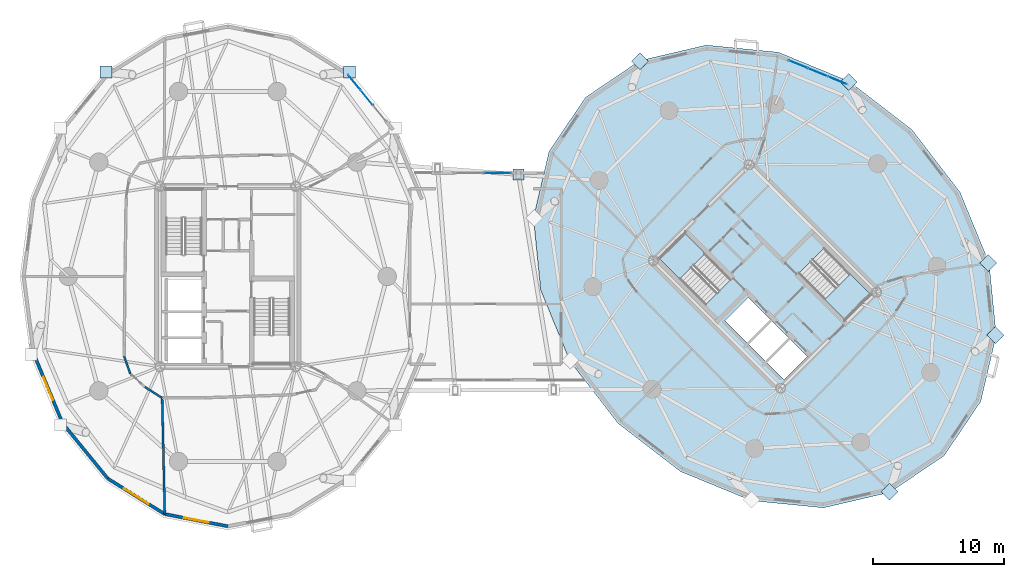
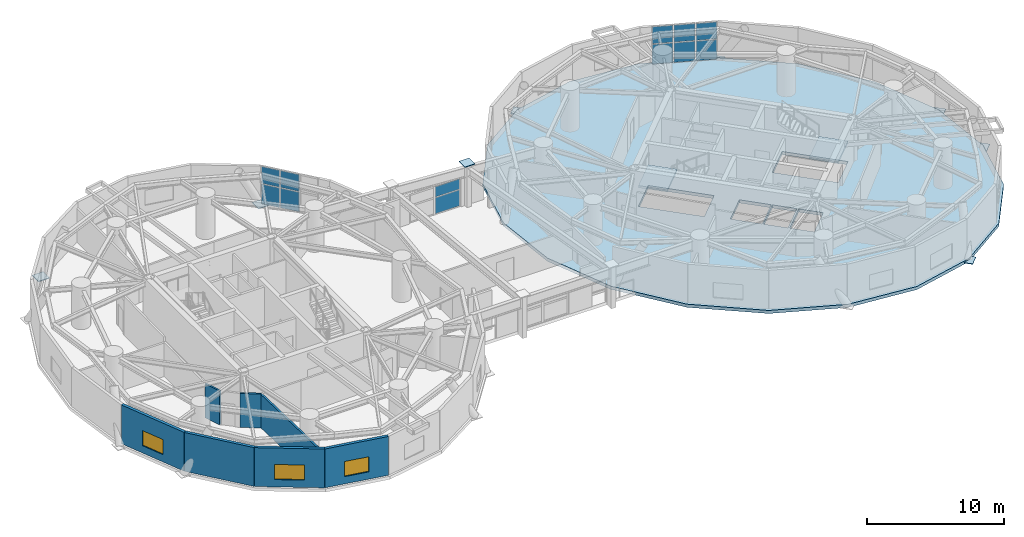
# One storey, part 12 of 20: 20 plates, 7 walls, 3 slabs, 3 windows, 3 openings, 5 elements without a shape of their own.
"""IFC4 building model written with IfcOpenShell, lengths in metres."""

from ifc_helpers import new_model, si_unit, direction, frame, frame_2d, origin, origin_2d, place, context, subcontext, project, spatial, polyline, rectangle, outline, extrude, source, transform, mapped, material, layer, layer_set, type_object, element, fill, aggregate, save


model = new_model("IFC4")

# Units and contexts
model_context = context("Model", 3, precision=1e-05, world=origin(), true_north=direction((0.0, 1.0)))
body_context = subcontext(model_context, "Body", "Model", "MODEL_VIEW")
ifc_project = project(units=[si_unit("LENGTHUNIT", "METRE"), si_unit("AREAUNIT", "SQUARE_METRE"), si_unit("VOLUMEUNIT", "CUBIC_METRE"), si_unit("PLANEANGLEUNIT", "RADIAN"), si_unit("MASSUNIT", "GRAM", prefix="KILO")], contexts=[model_context])

# Site, building, storey
site_placement = place(None, origin())
site = spatial("IfcSite", under=ifc_project, at=site_placement, CompositionType="ELEMENT")
building_placement = place(site_placement, origin())
building = spatial("IfcBuilding", under=site, at=building_placement, Name="Cununo Teusaquillo Station Towers", CompositionType="ELEMENT")
storey_placement = place(building_placement, frame((0.0, 0.0, 140.320068359375)))
storey = spatial("IfcBuildingStorey", under=building, at=storey_placement, Name="L44", CompositionType="ELEMENT", Elevation=140.320068359375)

# Slab
ifc_material_1 = material(Name="Concrete C50/60", Category="concrete")
ifc_layer_1 = layer(ifc_material_1, 0.280029296875)
ifc_layer_set_1 = layer_set([ifc_layer_1], Name="Concrete C50/60")
slab_type_1 = type_object("IfcSlabType", Name="SLB-BRG-280", PredefinedType="FLOOR", material=ifc_layer_set_1)
slab_1_placement = place(storey_placement, frame((0.0, 0.0, -0.280029296875)))
element("IfcSlab", 1, at=slab_1_placement, inside=storey, type_object=slab_type_1, Name="L44 Tower B Floor Slab", PredefinedType="FLOOR", context=body_context, shape_type="SweptSolid", body=[
    extrude(outline(polyline([(68.71533203125, 35.71533203125), (63.938232421875, 39.39453125), (58.531005859375, 41.61572265625), (53.02294921875, 42.16162109375), (47.952880859375, 40.978515625), (43.8173828125, 38.1826171875), (41.021484375, 34.047119140625), (39.83837890625, 28.97705078125), (40.38427734375, 23.468994140625), (42.60546875, 18.061767578125), (46.28466796875, 13.28466796875), (51.061767578125, 9.60546875), (56.468994140625, 7.38427734375), (61.97705078125, 6.83837890625), (67.047119140625, 8.021484375), (71.1826171875, 10.8173828125), (73.978515625, 14.952880859375), (75.16162109375, 20.02294921875), (74.61572265625, 25.531005859375), (72.39453125, 30.938232421875), (68.71533203125, 35.71533203125)]), holes=[polyline([(54.914794921875, 24.28515625), (51.390625, 27.809326171875), (49.43896484375, 25.857666015625), (52.963134765625, 22.33349609375), (54.914794921875, 24.28515625)]), polyline([(60.085205078125, 24.71484375), (63.609375, 21.190673828125), (65.56103515625, 23.142333984375), (62.036865234375, 26.66650390625), (60.085205078125, 24.71484375)]), polyline([(56.156494140625, 19.40869140625), (57.945556640625, 21.19775390625), (56.248291015625, 22.89501953125), (54.45947265625, 21.10595703125), (56.156494140625, 19.40869140625)]), polyline([(58.94970703125, 16.61572265625), (60.738525390625, 18.40478515625), (59.430419921875, 19.712890625), (57.641357421875, 17.923828125), (58.94970703125, 16.61572265625)]), polyline([(57.535400390625, 18.030029296875), (59.32421875, 19.819091796875), (58.01611328125, 21.127197265625), (56.227294921875, 19.338134765625), (57.535400390625, 18.030029296875)])]), origin(), (0.0, 0.0, 1.0), 0.280029296875),
])

# Stair, slab
ifc_material_2 = material(Name="Concrete C50/60", Category="concrete")
stair_type = type_object("IfcStairType", Name="ST-TWR-1300", PredefinedType="HALF_TURN_STAIR", material=ifc_material_2)
stair_1_placement = place(storey_placement, origin())
stair_1 = element("IfcStair", 2, at=stair_1_placement, inside=storey, type_object=stair_type, Name="L44 Tower B Protected Core Exit Stair 1", PredefinedType="HALF_TURN_STAIR")
ifc_material_3 = material(Name="Concrete C50/60", Category="concrete")
ifc_layer_2 = layer(ifc_material_3, 0.199951171875)
ifc_layer_set_2 = layer_set([ifc_layer_2], Name="Concrete C50/60")
slab_type_2 = type_object("IfcSlabType", Name="SLB-STAIR-LND", PredefinedType="LANDING", material=ifc_layer_set_2)
slab_2_placement = place(storey_placement, frame((0.0, 0.0, 1.659912109375)))
slab_2 = element("IfcSlab", 3, at=slab_2_placement, type_object=slab_type_2, Name="ST-T2-1 landing 1", PredefinedType="LANDING", context=body_context, shape_type="SweptSolid", body=[
    extrude(outline(polyline([(52.939208984375, 26.2607421875), (51.390625, 27.809326171875), (49.43896484375, 25.857666015625), (50.987548828125, 24.30908203125), (52.939208984375, 26.2607421875)])), origin(), (0.0, 0.0, 1.0), 0.199951171875),
])
aggregate(stair_1, [slab_2])

stair_2_placement = place(storey_placement, origin())
stair_2 = element("IfcStair", 4, at=stair_2_placement, inside=storey, type_object=stair_type, Name="L44 Tower B Protected Core Exit Stair 2", PredefinedType="HALF_TURN_STAIR")
slab_3_placement = place(storey_placement, frame((0.0, 0.0, 1.659912109375)))
slab_3 = element("IfcSlab", 5, at=slab_3_placement, type_object=slab_type_2, Name="ST-T2-2 landing 1", PredefinedType="LANDING", context=body_context, shape_type="SweptSolid", body=[
    extrude(outline(polyline([(62.060791015625, 22.7392578125), (63.609375, 21.190673828125), (65.56103515625, 23.142333984375), (64.012451171875, 24.69091796875), (62.060791015625, 22.7392578125)])), origin(), (0.0, 0.0, 1.0), 0.199951171875),
])
aggregate(stair_2, [slab_3])

# Plates
ifc_material_4 = material(Name="Steel ASTM A572 Grade 50", Category="steel")
ifc_layer_3 = layer(ifc_material_4, 0.050048828125)
ifc_layer_set_3 = layer_set([ifc_layer_3], Name="Steel ASTM A572 Grade 50")
plate_type_1 = type_object("IfcPlateType", Name="PLT-NODE-DN1", PredefinedType="USERDEFINED", material=ifc_layer_set_3)
shared_shape_1 = source(origin(), body_context, "Body", "SweptSolid", [
    extrude(rectangle(XDim=0.919921875, YDim=0.919921875, at=origin_2d()), origin(), (0.0, 0.0, 1.0), 0.050048828125),
])
for number, where, z_axis, x_axis, name in (
    (6, (25.78759765625, 40.10595703125, -0.1650390625), (0.0, 0.0, 1.0), (1.0, 0.0, 0.0), "L44 Tower A Diagrid Node Assembly C03"),
    (7, (7.21240234375, 40.10595703125, -0.1650390625), (0.0, 0.0, 1.0), (1.0, 0.0, 0.0), "L44 Tower A Diagrid Node Assembly C06"),
    (8, (63.9111328125, 39.341064453125, -0.1650390625), (0.0, 0.0, 1.0), (0.707106781187, 0.707106781187, 0.0), "L44 Tower B Diagrid Node Assembly C00"),
    (9, (47.980224609375, 40.92529296875, -0.1650390625), (0.0, 0.0, 1.0), (0.707106781187, 0.707106781187, 0.0), "L44 Tower B Diagrid Node Assembly C04"),
    (10, (67.019775390625, 8.07470703125, -0.1650390625), (0.0, 0.0, 1.0), (0.707106781187, 0.707106781187, 0.0), "L44 Tower B Diagrid Node Assembly C14"),
    (11, (75.102294921875, 20.0322265625, -0.1650390625), (0.0, 0.0, 1.0), (0.707106781187, 0.707106781187, 0.0), "L44 Tower B Diagrid Node Assembly C16"),
    (12, (74.556640625, 25.521728515625, -0.1650390625), (0.0, 0.0, 1.0), (0.707106781187, 0.707106781187, 0.0), "L44 Tower B Diagrid Node Assembly C18"),
):
    element("IfcPlate", number, at=place(storey_placement, frame(where, z_axis=z_axis, x_axis=x_axis)), inside=storey, type_object=plate_type_1, Name=name, ObjectType="GUSSET PLATE", PredefinedType="USERDEFINED", context=body_context, shape_type="MappedRepresentation", body=[
        mapped(shared_shape_1, transform((0.0, 0.0, 0.0), x_axis=(1.0, 0.0, 0.0), y_axis=(0.0, 1.0, 0.0), z_axis=(0.0, 0.0, 1.0), scale=1.0)),
    ])
ifc_material_5 = material(Name="Steel ASTM A572 Grade 50", Category="steel")
ifc_layer_4 = layer(ifc_material_5, 0.06005859375)
ifc_layer_set_4 = layer_set([ifc_layer_4], Name="Steel ASTM A572 Grade 50")
plate_type_2 = type_object("IfcPlateType", Name="PLT-NODE-SBN1", PredefinedType="USERDEFINED", material=ifc_layer_set_4)
shared_shape_2 = source(origin(), body_context, "Body", "SweptSolid", [
    extrude(rectangle(XDim=0.85009765625, YDim=0.85009765625, at=origin_2d()), origin(), (0.0, 0.0, 1.0), 0.06005859375),
])
plate_1_placement = place(storey_placement, frame((38.684814453125, 32.294189453125, 3.719970703125), z_axis=(0.0, 0.0, 1.0), x_axis=(1.0, 0.0, 0.0)))
element("IfcPlate", 13, at=plate_1_placement, inside=storey, type_object=plate_type_2, Name="L44 Mid-Bridge Post N2 Sealed Cap Plate", ObjectType="GUSSET PLATE", PredefinedType="USERDEFINED", context=body_context, shape_type="MappedRepresentation", body=[
    mapped(shared_shape_2, transform((0.0, 0.0, 0.0), x_axis=(1.0, 0.0, 0.0), y_axis=(0.0, 1.0, 0.0), z_axis=(0.0, 0.0, 1.0), scale=1.0)),
])

# Curtain wall, plates
ifc_material_6 = material(Name="Ceramic-fritted dark low-E double glazing", Category="glass")
ifc_layer_5 = layer(ifc_material_6, 0.179931640625)
ifc_layer_set_5 = layer_set([ifc_layer_5], Name="Ceramic-fritted dark low-E double glazing")
curtain_wall_type_1 = type_object("IfcCurtainWallType", Name="CW-SYS-04", PredefinedType="USERDEFINED", material=ifc_layer_set_5)
curtain_wall_1_placement = place(storey_placement, origin())
curtain_wall_1 = element("IfcCurtainWall", 14, at=curtain_wall_1_placement, inside=storey, type_object=curtain_wall_type_1, Name="L44 Tower A Facade Curtain Wall C02", ObjectType="FRITTED GLAZING", PredefinedType="USERDEFINED")
ifc_material_7 = material(Name="Ceramic-fritted dark low-E double glazing", Category="glass")
ifc_layer_6 = layer(ifc_material_7, 0.028076171875)
ifc_layer_set_6 = layer_set([ifc_layer_6], Name="Ceramic-fritted dark low-E double glazing")
plate_type_3 = type_object("IfcPlateType", Name="CWP-FRIT-28", PredefinedType="CURTAIN_PANEL", material=ifc_layer_set_6)
shared_shape_3 = source(origin(), body_context, "Body", "SweptSolid", [
    extrude(rectangle(XDim=1.427734375, YDim=0.028076171875, at=origin_2d()), origin(), (0.0, 0.0, 1.0), 1.7451171875),
])
plate_2_placement = place(storey_placement, frame((26.154296875, 39.321044921875, 0.06982421875), z_axis=(0.0, 0.0, 1.0), x_axis=(0.63270351247, -0.774394127889, 0.0)))
plate_2 = element("IfcPlate", 15, at=plate_2_placement, type_object=plate_type_3, Name="CW-04 panel 1.1", PredefinedType="CURTAIN_PANEL", context=body_context, shape_type="MappedRepresentation", body=[
    mapped(shared_shape_3, transform((0.0, 0.0, 0.0), x_axis=(1.0, 0.0, 0.0), y_axis=(0.0, 1.0, 0.0), z_axis=(0.0, 0.0, 1.0), scale=1.0)),
])
shared_shape_4 = source(origin(), body_context, "Body", "SweptSolid", [
    extrude(rectangle(XDim=1.462646484375, YDim=0.028076171875, at=origin_2d()), origin(), (0.0, 0.0, 1.0), 1.7451171875),
])
plate_3_placement = place(storey_placement, frame((27.11279296875, 38.147705078125, 0.06982421875), z_axis=(0.0, 0.0, 1.0), x_axis=(0.63270351247, -0.774394127889, 0.0)))
plate_3 = element("IfcPlate", 16, at=plate_3_placement, type_object=plate_type_3, Name="CW-04 panel 2.1", PredefinedType="CURTAIN_PANEL", context=body_context, shape_type="MappedRepresentation", body=[
    mapped(shared_shape_4, transform((0.0, 0.0, 0.0), x_axis=(1.0, 0.0, 0.0), y_axis=(0.0, 1.0, 0.0), z_axis=(0.0, 0.0, 1.0), scale=1.0)),
])

curtain_wall_2_placement = place(storey_placement, origin())
curtain_wall_2 = element("IfcCurtainWall", 17, at=curtain_wall_2_placement, inside=storey, type_object=curtain_wall_type_1, Name="L44 Tower B Facade Curtain Wall C01", ObjectType="FRITTED GLAZING", PredefinedType="USERDEFINED")
shared_shape_5 = source(origin(), body_context, "Body", "SweptSolid", [
    extrude(rectangle(XDim=1.531005859375, YDim=0.028076171875, at=origin_2d()), origin(), (0.0, 0.0, 1.0), 1.7451171875),
])
plate_4_placement = place(storey_placement, frame((60.045654296875, 40.697021484375, 0.06982421875), z_axis=(0.0, 0.0, 1.0), x_axis=(0.924562443652, -0.381030560176, 0.0)))
plate_4 = element("IfcPlate", 18, at=plate_4_placement, type_object=plate_type_3, Name="CW-04 panel 1.1", PredefinedType="CURTAIN_PANEL", context=body_context, shape_type="MappedRepresentation", body=[
    mapped(shared_shape_5, transform((0.0, 0.0, 0.0), x_axis=(1.0, 0.0, 0.0), y_axis=(0.0, 1.0, 0.0), z_axis=(0.0, 0.0, 1.0), scale=1.0)),
])
plate_5_placement = place(storey_placement, frame((63.03857421875, 39.463623046875, 0.06982421875), z_axis=(0.0, 0.0, 1.0), x_axis=(0.924562443652, -0.381030560176, 0.0)))
plate_5 = element("IfcPlate", 19, at=plate_5_placement, type_object=plate_type_3, Name="CW-04 panel 3.1", PredefinedType="CURTAIN_PANEL", context=body_context, shape_type="MappedRepresentation", body=[
    mapped(shared_shape_5, transform((0.0, 0.0, 0.0), x_axis=(1.0, 0.0, 0.0), y_axis=(0.0, 1.0, 0.0), z_axis=(0.0, 0.0, 1.0), scale=1.0)),
])
shared_shape_6 = source(origin(), body_context, "Body", "SweptSolid", [
    extrude(rectangle(XDim=1.566162109375, YDim=0.028076171875, at=origin_2d()), origin(), (0.0, 0.0, 1.0), 1.7451171875),
])
plate_6_placement = place(storey_placement, frame((61.542236328125, 40.080322265625, 0.06982421875), z_axis=(0.0, 0.0, 1.0), x_axis=(0.924562443652, -0.381030560176, 0.0)))
plate_6 = element("IfcPlate", 20, at=plate_6_placement, type_object=plate_type_3, Name="CW-04 panel 2.1", PredefinedType="CURTAIN_PANEL", context=body_context, shape_type="MappedRepresentation", body=[
    mapped(shared_shape_6, transform((0.0, 0.0, 0.0), x_axis=(1.0, 0.0, 0.0), y_axis=(0.0, 1.0, 0.0), z_axis=(0.0, 0.0, 1.0), scale=1.0)),
])

# Plate
shared_shape_7 = source(origin(), body_context, "Body", "SweptSolid", [
    extrude(rectangle(XDim=1.427734375, YDim=0.028076171875, at=origin_2d()), origin(), (0.0, 0.0, 1.0), 1.510009765625),
])
plate_7_placement = place(storey_placement, frame((26.154296875, 39.321044921875, 1.884765625), z_axis=(0.0, 0.0, 1.0), x_axis=(0.63270351247, -0.774394127889, 0.0)))
plate_7 = element("IfcPlate", 21, at=plate_7_placement, type_object=plate_type_3, Name="CW-04 panel 1.2", PredefinedType="CURTAIN_PANEL", context=body_context, shape_type="MappedRepresentation", body=[
    mapped(shared_shape_7, transform((0.0, 0.0, 0.0), x_axis=(1.0, 0.0, 0.0), y_axis=(0.0, 1.0, 0.0), z_axis=(0.0, 0.0, 1.0), scale=1.0)),
])

shared_shape_8 = source(origin(), body_context, "Body", "SweptSolid", [
    extrude(rectangle(XDim=1.462646484375, YDim=0.028076171875, at=origin_2d()), origin(), (0.0, 0.0, 1.0), 1.510009765625),
])
plate_8_placement = place(storey_placement, frame((27.11279296875, 38.147705078125, 1.884765625), z_axis=(0.0, 0.0, 1.0), x_axis=(0.63270351247, -0.774394127889, 0.0)))
plate_8 = element("IfcPlate", 22, at=plate_8_placement, type_object=plate_type_3, Name="CW-04 panel 2.2", PredefinedType="CURTAIN_PANEL", context=body_context, shape_type="MappedRepresentation", body=[
    mapped(shared_shape_8, transform((0.0, 0.0, 0.0), x_axis=(1.0, 0.0, 0.0), y_axis=(0.0, 1.0, 0.0), z_axis=(0.0, 0.0, 1.0), scale=1.0)),
])

aggregate(curtain_wall_1, [plate_2, plate_7, plate_3, plate_8])

shared_shape_9 = source(origin(), body_context, "Body", "SweptSolid", [
    extrude(rectangle(XDim=1.531005859375, YDim=0.028076171875, at=origin_2d()), origin(), (0.0, 0.0, 1.0), 1.510009765625),
])
plate_9_placement = place(storey_placement, frame((60.045654296875, 40.697021484375, 1.884765625), z_axis=(0.0, 0.0, 1.0), x_axis=(0.924562443652, -0.381030560176, 0.0)))
plate_9 = element("IfcPlate", 23, at=plate_9_placement, type_object=plate_type_3, Name="CW-04 panel 1.2", PredefinedType="CURTAIN_PANEL", context=body_context, shape_type="MappedRepresentation", body=[
    mapped(shared_shape_9, transform((0.0, 0.0, 0.0), x_axis=(1.0, 0.0, 0.0), y_axis=(0.0, 1.0, 0.0), z_axis=(0.0, 0.0, 1.0), scale=1.0)),
])

plate_10_placement = place(storey_placement, frame((63.03857421875, 39.463623046875, 1.884765625), z_axis=(0.0, 0.0, 1.0), x_axis=(0.924562443652, -0.381030560176, 0.0)))
plate_10 = element("IfcPlate", 24, at=plate_10_placement, type_object=plate_type_3, Name="CW-04 panel 3.2", PredefinedType="CURTAIN_PANEL", context=body_context, shape_type="MappedRepresentation", body=[
    mapped(shared_shape_9, transform((0.0, 0.0, 0.0), x_axis=(1.0, 0.0, 0.0), y_axis=(0.0, 1.0, 0.0), z_axis=(0.0, 0.0, 1.0), scale=1.0)),
])

shared_shape_10 = source(origin(), body_context, "Body", "SweptSolid", [
    extrude(rectangle(XDim=1.566162109375, YDim=0.028076171875, at=origin_2d()), origin(), (0.0, 0.0, 1.0), 1.510009765625),
])
plate_11_placement = place(storey_placement, frame((61.542236328125, 40.080322265625, 1.884765625), z_axis=(0.0, 0.0, 1.0), x_axis=(0.924562443652, -0.381030560176, 0.0)))
plate_11 = element("IfcPlate", 25, at=plate_11_placement, type_object=plate_type_3, Name="CW-04 panel 2.2", PredefinedType="CURTAIN_PANEL", context=body_context, shape_type="MappedRepresentation", body=[
    mapped(shared_shape_10, transform((0.0, 0.0, 0.0), x_axis=(1.0, 0.0, 0.0), y_axis=(0.0, 1.0, 0.0), z_axis=(0.0, 0.0, 1.0), scale=1.0)),
])

aggregate(curtain_wall_2, [plate_4, plate_9, plate_6, plate_11, plate_5, plate_10])

# Curtain wall, plates
ifc_material_8 = material(Name="Ceramic-fritted dark low-E double glazing", Category="glass")
ifc_layer_7 = layer(ifc_material_8, 0.179931640625)
ifc_layer_set_7 = layer_set([ifc_layer_7], Name="Ceramic-fritted dark low-E double glazing")
curtain_wall_type_2 = type_object("IfcCurtainWallType", Name="CW-SYS-05", PredefinedType="USERDEFINED", material=ifc_layer_set_7)
curtain_wall_3_placement = place(storey_placement, origin())
curtain_wall_3 = element("IfcCurtainWall", 26, at=curtain_wall_3_placement, inside=storey, type_object=curtain_wall_type_2, Name="L44 Mid-Bridge N Observation Curtain Wall", ObjectType="FRITTED GLAZING", PredefinedType="USERDEFINED")
shared_shape_11 = source(origin(), body_context, "Body", "SweptSolid", [
    extrude(rectangle(XDim=2.080078125, YDim=0.028076171875, at=origin_2d()), origin(), (0.0, 0.0, 1.0), 1.419921875),
])
plate_12_placement = place(storey_placement, frame((37.080078125, 32.39990234375, 0.070068359375), z_axis=(0.0, 0.0, 1.0), x_axis=(1.0, 0.0, 0.0)))
plate_12 = element("IfcPlate", 27, at=plate_12_placement, type_object=plate_type_3, Name="CW-05 panel 2.1", PredefinedType="CURTAIN_PANEL", context=body_context, shape_type="MappedRepresentation", body=[
    mapped(shared_shape_11, transform((0.0, 0.0, 0.0), x_axis=(1.0, 0.0, 0.0), y_axis=(0.0, 1.0, 0.0), z_axis=(0.0, 0.0, 1.0), scale=1.0)),
])
shared_shape_12 = source(origin(), body_context, "Body", "SweptSolid", [
    extrude(rectangle(XDim=2.080078125, YDim=0.028076171875, at=origin_2d()), origin(), (0.0, 0.0, 1.0), 0.912109375),
])
plate_13_placement = place(storey_placement, frame((37.080078125, 32.39990234375, 1.559814453125), z_axis=(0.0, 0.0, 1.0), x_axis=(1.0, 0.0, 0.0)))
plate_13 = element("IfcPlate", 28, at=plate_13_placement, type_object=plate_type_3, Name="CW-05 panel 2.2", PredefinedType="CURTAIN_PANEL", context=body_context, shape_type="MappedRepresentation", body=[
    mapped(shared_shape_12, transform((0.0, 0.0, 0.0), x_axis=(1.0, 0.0, 0.0), y_axis=(0.0, 1.0, 0.0), z_axis=(0.0, 0.0, 1.0), scale=1.0)),
])
aggregate(curtain_wall_3, [plate_12, plate_13])

# Wall, opening, window
ifc_material_9 = material(Name="Precast concrete C40/50", Category="concrete")
ifc_layer_8 = layer(ifc_material_9, 0.239990234375)
ifc_layer_set_8 = layer_set([ifc_layer_8], Name="Precast concrete C40/50")
wall_type_1 = type_object("IfcWallType", Name="WL-EXT-240", PredefinedType="SOLIDWALL", material=ifc_layer_set_8)
wall_1_placement = place(storey_placement, frame((3.894775390625, 13.291015625, 0.0), z_axis=(0.0, 0.0, 1.0), x_axis=(-0.384344417632, 0.923189779317, 0.0)))
wall_1 = element("IfcWall", 29, at=wall_1_placement, inside=storey, type_object=wall_type_1, Name="L44 Tower A Exterior Facade Wall C11", PredefinedType="SOLIDWALL", context=body_context, shape_type="SweptSolid", body=[
    extrude(rectangle(XDim=5.75830078125, YDim=0.239990234375, at=frame_2d((2.879150390625, 0.0))), origin(), (0.0, 0.0, 1.0), 3.46484375),
])
shared_shape_13 = source(origin(), body_context, "Body", "SweptSolid", [
    extrude(rectangle(XDim=1.89990234375, YDim=1.35009765625, at=frame_2d((0.949951171875, 0.675048828125))), frame((0.0, 0.1298828125, 0.0), z_axis=(0.0, -1.0, 0.0), x_axis=(1.0, 0.0, 0.0)), (0.0, 0.0, 1.0), 0.260009765625),
])
opening_1_placement = place(wall_1_placement, frame((1.928955078125, 0.0, 0.64990234375)))
opening_1 = element("IfcOpeningElement", 30, at=opening_1_placement, cuts=wall_1, Name="Opening WN-02", PredefinedType="OPENING", context=body_context, shape_type="MappedRepresentation", body=[
    mapped(shared_shape_13, transform((0.0, 0.0, 0.0), x_axis=(1.0, 0.0, 0.0), y_axis=(0.0, 1.0, 0.0), z_axis=(0.0, 0.0, 1.0), scale=1.0)),
])
ifc_material_10 = material(Name="Operable acoustic tinted low-E double glazing", Category="glass")
window_type_1 = type_object("IfcWindowType", Name="WIN-OPER-1900", PartitioningType="DOUBLE_PANEL_VERTICAL", PredefinedType="WINDOW", material=ifc_material_10)
shared_shape_14 = source(origin(), body_context, "Body", "SweptSolid", [
    extrude(rectangle(XDim=1.89990234375, YDim=1.35009765625, at=frame_2d((0.949951171875, 0.675048828125))), frame((0.0, 0.030029296875, 0.0), z_axis=(0.0, -1.0, 0.0), x_axis=(1.0, 0.0, 0.0)), (0.0, 0.0, 1.0), 0.06005859375),
])
window_1_placement = place(opening_1_placement, origin())
window_1 = element("IfcWindow", 31, at=window_1_placement, inside=storey, type_object=window_type_1, Name="L44 Tower A Facade Window C11", OverallHeight=1.35009765625, OverallWidth=1.89990234375, PartitioningType="DOUBLE_PANEL_VERTICAL", PredefinedType="WINDOW", context=body_context, shape_type="MappedRepresentation", body=[
    mapped(shared_shape_14, transform((0.0, 0.0, 0.0), x_axis=(1.0, 0.0, 0.0), y_axis=(0.0, 1.0, 0.0), z_axis=(0.0, 0.0, 1.0), scale=1.0)),
])
fill(opening_1, window_1)

# Wall
wall_2_placement = place(storey_placement, frame((7.341796875, 9.072021484375, 0.0), z_axis=(0.0, 0.0, 1.0), x_axis=(-0.632700781152, 0.77439635945, 0.0)))
element("IfcWall", 32, at=wall_2_placement, inside=storey, type_object=wall_type_1, Name="L44 Tower A Exterior Facade Wall C12", PredefinedType="SOLIDWALL", context=body_context, shape_type="SweptSolid", body=[
    extrude(rectangle(XDim=5.447998046875, YDim=0.239990234375, at=frame_2d((2.72412109375, 0.0))), origin(), (0.0, 0.0, 1.0), 3.46484375),
])

# Wall, opening, window
wall_3_placement = place(storey_placement, frame((11.685302734375, 6.36328125, 0.0), z_axis=(0.0, 0.0, 1.0), x_axis=(-0.848520380187, 0.529162701263, 0.0)))
wall_3 = element("IfcWall", 33, at=wall_3_placement, inside=storey, type_object=wall_type_1, Name="L44 Tower A Exterior Facade Wall C13", PredefinedType="SOLIDWALL", context=body_context, shape_type="SweptSolid", body=[
    extrude(rectangle(XDim=5.118896484375, YDim=0.239990234375, at=frame_2d((2.5595703125, 0.0))), origin(), (0.0, 0.0, 1.0), 3.46484375),
])
shared_shape_15 = source(origin(), body_context, "Body", "SweptSolid", [
    extrude(rectangle(XDim=2.199951171875, YDim=1.35009765625, at=frame_2d((1.10009765625, 0.675048828125))), frame((0.0, 0.1298828125, 0.0), z_axis=(0.0, -1.0, 0.0), x_axis=(1.0, 0.0, 0.0)), (0.0, 0.0, 1.0), 0.260009765625),
])
opening_2_placement = place(wall_3_placement, frame((1.458984375, 0.0, 0.64990234375)))
opening_2 = element("IfcOpeningElement", 34, at=opening_2_placement, cuts=wall_3, Name="Opening WN-01", PredefinedType="OPENING", context=body_context, shape_type="MappedRepresentation", body=[
    mapped(shared_shape_15, transform((0.0, 0.0, 0.0), x_axis=(1.0, 0.0, 0.0), y_axis=(0.0, 1.0, 0.0), z_axis=(0.0, 0.0, 1.0), scale=1.0)),
])
ifc_material_11 = material(Name="Ceramic-fritted dark low-E double glazing", Category="glass")
window_type_2 = type_object("IfcWindowType", Name="WIN-FRIT-2200", PartitioningType="DOUBLE_PANEL_VERTICAL", PredefinedType="WINDOW", material=ifc_material_11)
shared_shape_16 = source(origin(), body_context, "Body", "SweptSolid", [
    extrude(rectangle(XDim=2.199951171875, YDim=1.35009765625, at=frame_2d((1.10009765625, 0.675048828125))), frame((0.0, 0.030029296875, 0.0), z_axis=(0.0, -1.0, 0.0), x_axis=(1.0, 0.0, 0.0)), (0.0, 0.0, 1.0), 0.06005859375),
])
window_2_placement = place(opening_2_placement, origin())
window_2 = element("IfcWindow", 35, at=window_2_placement, inside=storey, type_object=window_type_2, Name="L44 Tower A Facade Window C13", OverallHeight=1.35009765625, OverallWidth=2.199951171875, PartitioningType="DOUBLE_PANEL_VERTICAL", PredefinedType="WINDOW", context=body_context, shape_type="MappedRepresentation", body=[
    mapped(shared_shape_16, transform((0.0, 0.0, 0.0), x_axis=(1.0, 0.0, 0.0), y_axis=(0.0, 1.0, 0.0), z_axis=(0.0, 0.0, 1.0), scale=1.0)),
])
fill(opening_2, window_2)

wall_4_placement = place(storey_placement, frame((16.5, 5.429931640625, 0.0), z_axis=(0.0, 0.0, 1.0), x_axis=(-0.981723785992, 0.190311344954, 0.0)))
wall_4 = element("IfcWall", 36, at=wall_4_placement, inside=storey, type_object=wall_type_1, Name="L44 Tower A Exterior Facade Wall C14", PredefinedType="SOLIDWALL", context=body_context, shape_type="SweptSolid", body=[
    extrude(rectangle(XDim=4.904296875, YDim=0.239990234375, at=frame_2d((2.4521484375, 0.0))), origin(), (0.0, 0.0, 1.0), 3.46484375),
])
opening_3_placement = place(wall_4_placement, frame((1.501953125, 0.0, 0.64990234375)))
opening_3 = element("IfcOpeningElement", 37, at=opening_3_placement, cuts=wall_4, Name="Opening WN-02", PredefinedType="OPENING", context=body_context, shape_type="MappedRepresentation", body=[
    mapped(shared_shape_13, transform((0.0, 0.0, 0.0), x_axis=(1.0, 0.0, 0.0), y_axis=(0.0, 1.0, 0.0), z_axis=(0.0, 0.0, 1.0), scale=1.0)),
])
window_3_placement = place(opening_3_placement, origin())
window_3 = element("IfcWindow", 38, at=window_3_placement, inside=storey, type_object=window_type_1, Name="L44 Tower A Facade Window C14", OverallHeight=1.35009765625, OverallWidth=1.89990234375, PartitioningType="DOUBLE_PANEL_VERTICAL", PredefinedType="WINDOW", context=body_context, shape_type="MappedRepresentation", body=[
    mapped(shared_shape_14, transform((0.0, 0.0, 0.0), x_axis=(1.0, 0.0, 0.0), y_axis=(0.0, 1.0, 0.0), z_axis=(0.0, 0.0, 1.0), scale=1.0)),
])
fill(opening_3, window_3)

# Walls
ifc_material_12 = material(Name="Fire-rated gypsum plasterboard partition assembly", Category="gypsum")
ifc_layer_9 = layer(ifc_material_12, 0.14990234375)
ifc_layer_set_9 = layer_set([ifc_layer_9], Name="Fire-rated gypsum plasterboard partition assembly")
wall_type_2 = type_object("IfcWallType", Name="WL-PART-150", PredefinedType="PARTITIONING", material=ifc_layer_set_9)
wall_5_placement = place(storey_placement, frame((8.58740234375, 18.4033203125, 0.0), z_axis=(0.0, 0.0, 1.0), x_axis=(0.333119120686, -0.942884749815, 0.0)))
element("IfcWall", 39, at=wall_5_placement, inside=storey, type_object=wall_type_2, Name="L44 Tower A Corridor Ring Wall C11", PredefinedType="PARTITIONING", context=body_context, shape_type="SweptSolid", body=[
    extrude(rectangle(XDim=1.409423828125, YDim=0.14990234375, at=frame_2d((0.70458984375, 0.0))), origin(), (0.0, 0.0, 1.0), 3.034912109375),
])
wall_6_placement = place(storey_placement, frame((10.156005859375, 16.075439453125, 0.0), z_axis=(0.0, 0.0, 1.0), x_axis=(0.843896624713, -0.536505812455, 0.0)))
element("IfcWall", 40, at=wall_6_placement, inside=storey, type_object=wall_type_2, Name="L44 Tower A Corridor Ring Wall C13", PredefinedType="PARTITIONING", context=body_context, shape_type="SweptSolid", body=[
    extrude(rectangle(XDim=1.581298828125, YDim=0.14990234375, at=frame_2d((0.79052734375, 0.0))), origin(), (0.0, 0.0, 1.0), 3.034912109375),
])
ifc_material_13 = material(Name="Fire-rated gypsum plasterboard partition assembly", Category="gypsum")
ifc_layer_10 = layer(ifc_material_13, 0.159912109375)
ifc_layer_set_10 = layer_set([ifc_layer_10], Name="Fire-rated gypsum plasterboard partition assembly")
wall_type_3 = type_object("IfcWallType", Name="WL-PART-160", PredefinedType="PARTITIONING", material=ifc_layer_set_10)
wall_7_placement = place(storey_placement, frame((11.490478515625, 15.22705078125, 0.0), z_axis=(0.0, 0.0, 1.0), x_axis=(0.022711375682, -0.999742063442, 0.0)))
element("IfcWall", 41, at=wall_7_placement, inside=storey, type_object=wall_type_3, Name="L44 Tower A Radial Suite Partition R04", PredefinedType="PARTITIONING", context=body_context, shape_type="SweptSolid", body=[
    extrude(rectangle(XDim=8.846923828125, YDim=0.159912109375, at=frame_2d((4.42333984375, 0.0))), origin(), (0.0, 0.0, 1.0), 2.989013671875),
])

save(model, "model.ifc")
